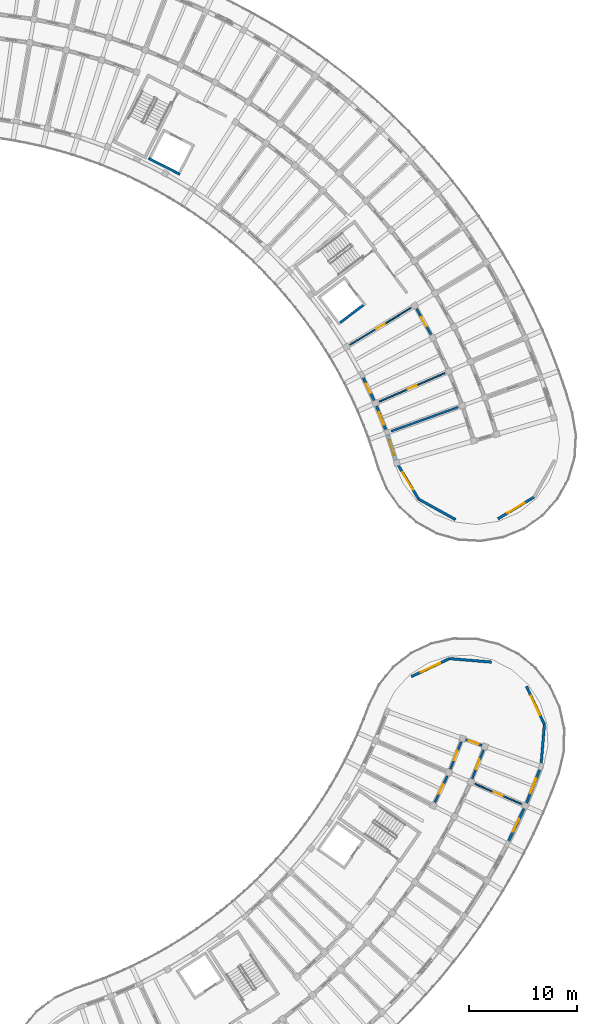
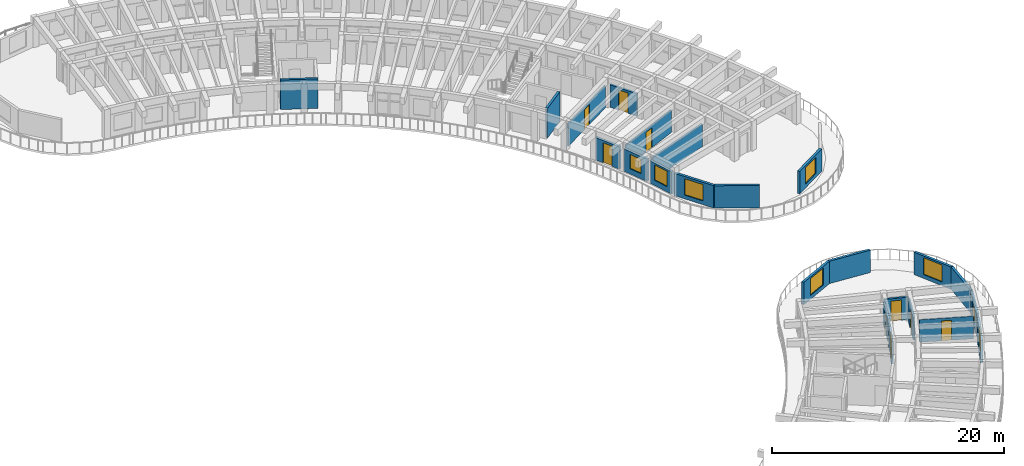
# One storey, part 51 of 78: 23 walls, 9 doors, 8 windows, 17 openings.
"""IFC4 building model written with IfcOpenShell, lengths in metres."""

from ifc_helpers import new_model, si_unit, direction, frame, frame_2d, origin, place, context, subcontext, project, spatial, rectangle, extrude, material, layer, layer_set, type_object, element, fill, save


model = new_model("IFC4")

# Units and contexts
model_context = context("Model", 3, precision=1e-05, world=origin(), true_north=direction((0.0, 1.0)))
body_context = subcontext(model_context, "Body", "Model", "MODEL_VIEW")
ifc_project = project(units=[si_unit("LENGTHUNIT", "METRE"), si_unit("AREAUNIT", "SQUARE_METRE"), si_unit("VOLUMEUNIT", "CUBIC_METRE"), si_unit("PLANEANGLEUNIT", "RADIAN"), si_unit("MASSUNIT", "GRAM", prefix="KILO")], contexts=[model_context])

# Site, building, storey
site_placement = place(None, origin())
site = spatial("IfcSite", under=ifc_project, at=site_placement, CompositionType="ELEMENT")
building_placement = place(site_placement, origin())
building = spatial("IfcBuilding", under=site, at=building_placement, Name="Tanwirah Colonnade Gardens", CompositionType="ELEMENT")
storey_placement = place(building_placement, frame((0.0, 0.0, 22.280029296875)))
storey = spatial("IfcBuildingStorey", under=building, at=storey_placement, Name="L06", CompositionType="ELEMENT", Elevation=22.280029296875)

# Wall, opening, window
ifc_material_1 = material(Name="Limestone architectural precast concrete C40/50", Category="masonry")
ifc_layer_1 = layer(ifc_material_1, 0.239990234375)
ifc_layer_set_1 = layer_set([ifc_layer_1], Name="Limestone architectural precast concrete C40/50")
wall_type_1 = type_object("IfcWallType", Name="EW-PC240", PredefinedType="SOLIDWALL", material=ifc_layer_set_1)
wall_1_placement = place(storey_placement, frame((163.65283203125, 72.685302734375, 0.0), z_axis=(0.0, 0.0, 1.0), x_axis=(-0.30716379336, 0.951656662903, 0.0)))
wall_1 = element("IfcWall", 1, at=wall_1_placement, inside=storey, type_object=wall_type_1, Name="Block B L06 IN Precast Facade Wall 0", PredefinedType="SOLIDWALL", context=body_context, shape_type="SweptSolid", body=[
    extrude(rectangle(XDim=2.525146484375, YDim=0.239990234375, at=frame_2d((1.2626953125, 0.0))), origin(), (0.0, 0.0, 1.0), 2.35498046875),
])
opening_1_placement = place(wall_1_placement, frame((0.522705078125, 0.0, 0.550048828125)))
opening_1 = element("IfcOpeningElement", 2, at=opening_1_placement, cuts=wall_1, Name="Opening WIN-T19", PredefinedType="OPENING", context=body_context, shape_type="SweptSolid", body=[
    extrude(rectangle(XDim=1.47998046875, YDim=1.6201171875, at=frame_2d((0.739990234375, 0.81005859375))), frame((0.0, 0.1298828125, 0.0), z_axis=(0.0, -1.0, 0.0), x_axis=(1.0, 0.0, 0.0)), (0.0, 0.0, 1.0), 0.260009765625),
])
ifc_material_2 = material(Name="Thermally broken bronze aluminium and solar low-E double glazing", Category="aluminium")
window_type_1 = type_object("IfcWindowType", Name="WIN-T19", PartitioningType="DOUBLE_PANEL_VERTICAL", PredefinedType="WINDOW", material=ifc_material_2)
window_1_placement = place(opening_1_placement, origin())
window_1 = element("IfcWindow", 3, at=window_1_placement, inside=storey, type_object=window_type_1, Name="Facade window B-L06-IN-00", OverallHeight=1.6201171875, OverallWidth=1.47998046875, PartitioningType="SINGLE_PANEL", PredefinedType="WINDOW", context=body_context, shape_type="SweptSolid", body=[
    extrude(rectangle(XDim=1.47998046875, YDim=1.6201171875, at=frame_2d((0.739990234375, 0.81005859375))), frame((0.0, 0.030029296875, 0.0), z_axis=(0.0, -1.0, 0.0), x_axis=(1.0, 0.0, 0.0)), (0.0, 0.0, 1.0), 0.06005859375),
])
fill(opening_1, window_1)

wall_2_placement = place(storey_placement, frame((162.768798828125, 75.389404296875, 0.0), z_axis=(0.0, 0.0, 1.0), x_axis=(-0.369122600107, 0.92938071106, 0.0)))
wall_2 = element("IfcWall", 4, at=wall_2_placement, inside=storey, type_object=wall_type_1, Name="Block B L06 IN Precast Facade Wall 1", PredefinedType="SOLIDWALL", context=body_context, shape_type="SweptSolid", body=[
    extrude(rectangle(XDim=2.525146484375, YDim=0.239990234375, at=frame_2d((1.2626953125, 0.0))), origin(), (0.0, 0.0, 1.0), 2.35498046875),
])
opening_2_placement = place(wall_2_placement, frame((0.66259765625, 0.0, 0.550048828125)))
opening_2 = element("IfcOpeningElement", 5, at=opening_2_placement, cuts=wall_2, Name="Opening WIN-U02", PredefinedType="OPENING", context=body_context, shape_type="SweptSolid", body=[
    extrude(rectangle(XDim=1.199951171875, YDim=1.510009765625, at=frame_2d((0.60009765625, 0.7548828125))), frame((0.0, 0.1298828125, 0.0), z_axis=(0.0, -1.0, 0.0), x_axis=(1.0, 0.0, 0.0)), (0.0, 0.0, 1.0), 0.260009765625),
])
window_type_2 = type_object("IfcWindowType", Name="WIN-U02", PartitioningType="DOUBLE_PANEL_VERTICAL", PredefinedType="WINDOW", material=ifc_material_2)
window_2_placement = place(opening_2_placement, origin())
window_2 = element("IfcWindow", 6, at=window_2_placement, inside=storey, type_object=window_type_2, Name="Facade window B-L06-IN-01", OverallHeight=1.510009765625, OverallWidth=1.199951171875, PartitioningType="SINGLE_PANEL", PredefinedType="WINDOW", context=body_context, shape_type="SweptSolid", body=[
    extrude(rectangle(XDim=1.199951171875, YDim=1.510009765625, at=frame_2d((0.60009765625, 0.7548828125))), frame((0.0, 0.030029296875, 0.0), z_axis=(0.0, -1.0, 0.0), x_axis=(1.0, 0.0, 0.0)), (0.0, 0.0, 1.0), 0.06005859375),
])
fill(opening_2, window_2)

# Wall, opening, door
wall_3_placement = place(storey_placement, frame((161.640869140625, 78.18505859375, 0.0), z_axis=(0.0, 0.0, 1.0), x_axis=(-0.429610836066, 0.903014135844, 0.0)))
wall_3 = element("IfcWall", 7, at=wall_3_placement, inside=storey, type_object=wall_type_1, Name="Block B L06 IN Precast Facade Wall 2", PredefinedType="SOLIDWALL", context=body_context, shape_type="SweptSolid", body=[
    extrude(rectangle(XDim=2.525390625, YDim=0.239990234375, at=frame_2d((1.2626953125, 0.0))), origin(), (0.0, 0.0, 1.0), 2.35498046875),
])
opening_3_placement = place(wall_3_placement, frame((0.772705078125, 0.0, 0.0)))
opening_3 = element("IfcOpeningElement", 8, at=opening_3_placement, cuts=wall_3, Name="Opening L06-ED095", PredefinedType="OPENING", context=body_context, shape_type="SweptSolid", body=[
    extrude(rectangle(XDim=0.97998046875, YDim=2.1201171875, at=frame_2d((0.489990234375, 1.06005859375))), frame((0.0, 0.1298828125, 0.0), z_axis=(0.0, -1.0, 0.0), x_axis=(1.0, 0.0, 0.0)), (0.0, 0.0, 1.0), 0.260009765625),
])
ifc_material_3 = material(Name="Bronze aluminium glazed balcony door", Category="aluminium")
door_type_1 = type_object("IfcDoorType", Name="ED-BAL098", OperationType="NOTDEFINED", PredefinedType="DOOR", material=ifc_material_3)
door_1_placement = place(opening_3_placement, origin())
door_1 = element("IfcDoor", 9, at=door_1_placement, inside=storey, type_object=door_type_1, Name="Balcony glazed door L06-ED095", OperationType="SINGLE_SWING_LEFT", OverallHeight=2.1201171875, OverallWidth=0.97998046875, PredefinedType="DOOR", context=body_context, shape_type="SweptSolid", body=[
    extrude(rectangle(XDim=0.97998046875, YDim=2.1201171875, at=frame_2d((0.489990234375, 1.06005859375))), frame((0.0, 0.02490234375, 0.0), z_axis=(0.0, -1.0, 0.0), x_axis=(1.0, 0.0, 0.0)), (0.0, 0.0, 1.0), 0.050048828125),
])
fill(opening_3, door_1)

# Wall, opening, window
wall_4_placement = place(storey_placement, frame((176.41650390625, 69.28857421875, 0.0), z_axis=(0.0, 0.0, 1.0), x_axis=(-0.85715098885, -0.515065221417, 0.0)))
wall_4 = element("IfcWall", 10, at=wall_4_placement, inside=storey, type_object=wall_type_1, Name="Block B L06 START Rounded End Wall 2", PredefinedType="SOLIDWALL", context=body_context, shape_type="SweptSolid", body=[
    extrude(rectangle(XDim=3.908203125, YDim=0.239990234375, at=frame_2d((1.9541015625, 0.0))), origin(), (0.0, 0.0, 1.0), 2.35498046875),
])
opening_4_placement = place(wall_4_placement, frame((1.029052734375, 0.0, 0.39990234375)))
opening_4 = element("IfcOpeningElement", 11, at=opening_4_placement, cuts=wall_4, Name="Opening WIN-END1", PredefinedType="OPENING", context=body_context, shape_type="SweptSolid", body=[
    extrude(rectangle(XDim=1.85009765625, YDim=1.719970703125, at=frame_2d((0.925048828125, 0.85986328125))), frame((0.0, 0.1298828125, 0.0), z_axis=(0.0, -1.0, 0.0), x_axis=(1.0, 0.0, 0.0)), (0.0, 0.0, 1.0), 0.260009765625),
])
window_type_3 = type_object("IfcWindowType", Name="WIN-END1", PartitioningType="TRIPLE_PANEL_VERTICAL", PredefinedType="WINDOW", material=ifc_material_2)
window_3_placement = place(opening_4_placement, origin())
window_3 = element("IfcWindow", 12, at=window_3_placement, inside=storey, type_object=window_type_3, Name="Rounded corner window B-L06-START-2", OverallHeight=1.719970703125, OverallWidth=1.85009765625, PartitioningType="SINGLE_PANEL", PredefinedType="WINDOW", context=body_context, shape_type="SweptSolid", body=[
    extrude(rectangle(XDim=1.85009765625, YDim=1.719970703125, at=frame_2d((0.925048828125, 0.85986328125))), frame((0.0, 0.030029296875, 0.0), z_axis=(0.0, -1.0, 0.0), x_axis=(1.0, 0.0, 0.0)), (0.0, 0.0, 1.0), 0.06005859375),
])
fill(opening_4, window_3)

# Wall
wall_5_placement = place(storey_placement, frame((169.1591796875, 67.20751953125, 0.0), z_axis=(0.0, 0.0, 1.0), x_axis=(-0.874643043537, 0.484767517881, 0.0)))
element("IfcWall", 13, at=wall_5_placement, inside=storey, type_object=wall_type_1, Name="Block B L06 START Rounded End Wall 4", PredefinedType="SOLIDWALL", context=body_context, shape_type="SweptSolid", body=[
    extrude(rectangle(XDim=3.908203125, YDim=0.239990234375, at=frame_2d((1.9541015625, 0.0))), origin(), (0.0, 0.0, 1.0), 2.35498046875),
])

# Wall, opening, window
wall_6_placement = place(storey_placement, frame((165.740966796875, 69.10205078125, 0.0), z_axis=(0.0, 0.0, 1.0), x_axis=(-0.515037642827, 0.857167560324, 0.0)))
wall_6 = element("IfcWall", 14, at=wall_6_placement, inside=storey, type_object=wall_type_1, Name="Block B L06 START Rounded End Wall 5", PredefinedType="SOLIDWALL", context=body_context, shape_type="SweptSolid", body=[
    extrude(rectangle(XDim=3.908447265625, YDim=0.239990234375, at=frame_2d((1.9541015625, 0.0))), origin(), (0.0, 0.0, 1.0), 2.35498046875),
])
opening_5_placement = place(wall_6_placement, frame((1.029052734375, 0.0, 0.39990234375)))
opening_5 = element("IfcOpeningElement", 15, at=opening_5_placement, cuts=wall_6, Name="Opening WIN-END1", PredefinedType="OPENING", context=body_context, shape_type="SweptSolid", body=[
    extrude(rectangle(XDim=1.85009765625, YDim=1.719970703125, at=frame_2d((0.925048828125, 0.85986328125))), frame((0.0, 0.1298828125, 0.0), z_axis=(0.0, -1.0, 0.0), x_axis=(1.0, 0.0, 0.0)), (0.0, 0.0, 1.0), 0.260009765625),
])
window_4_placement = place(opening_5_placement, origin())
window_4 = element("IfcWindow", 16, at=window_4_placement, inside=storey, type_object=window_type_3, Name="Rounded corner window B-L06-START-5", OverallHeight=1.719970703125, OverallWidth=1.85009765625, PartitioningType="SINGLE_PANEL", PredefinedType="WINDOW", context=body_context, shape_type="SweptSolid", body=[
    extrude(rectangle(XDim=1.85009765625, YDim=1.719970703125, at=frame_2d((0.925048828125, 0.85986328125))), frame((0.0, 0.030029296875, 0.0), z_axis=(0.0, -1.0, 0.0), x_axis=(1.0, 0.0, 0.0)), (0.0, 0.0, 1.0), 0.06005859375),
])
fill(opening_5, window_4)

wall_7_placement = place(storey_placement, frame((174.009521484375, 37.378173828125, 0.0), z_axis=(0.0, 0.0, 1.0), x_axis=(0.428576879122, 0.903505317462, 0.0)))
wall_7 = element("IfcWall", 17, at=wall_7_placement, inside=storey, type_object=wall_type_1, Name="Block D L06 OUT Precast Facade Wall 13", PredefinedType="SOLIDWALL", context=body_context, shape_type="SweptSolid", body=[
    extrude(rectangle(XDim=3.48681640625, YDim=0.239990234375, at=frame_2d((1.743408203125, 0.0))), origin(), (0.0, 0.0, 1.0), 2.35498046875),
])
opening_6_placement = place(wall_7_placement, frame((1.08349609375, 0.0, 0.550048828125)))
opening_6 = element("IfcOpeningElement", 18, at=opening_6_placement, cuts=wall_7, Name="Opening WIN-U05", PredefinedType="OPENING", context=body_context, shape_type="SweptSolid", body=[
    extrude(rectangle(XDim=1.320068359375, YDim=1.5849609375, at=frame_2d((0.66015625, 0.79248046875))), frame((0.0, 0.1298828125, 0.0), z_axis=(0.0, -1.0, 0.0), x_axis=(1.0, 0.0, 0.0)), (0.0, 0.0, 1.0), 0.260009765625),
])
window_type_4 = type_object("IfcWindowType", Name="WIN-U05", PartitioningType="DOUBLE_PANEL_VERTICAL", PredefinedType="WINDOW", material=ifc_material_2)
window_5_placement = place(opening_6_placement, origin())
window_5 = element("IfcWindow", 19, at=window_5_placement, inside=storey, type_object=window_type_4, Name="Facade window D-L06-OUT-13", OverallHeight=1.5849609375, OverallWidth=1.320068359375, PartitioningType="SINGLE_PANEL", PredefinedType="WINDOW", context=body_context, shape_type="SweptSolid", body=[
    extrude(rectangle(XDim=1.320068359375, YDim=1.5849609375, at=frame_2d((0.66015625, 0.79248046875))), frame((0.0, 0.030029296875, 0.0), z_axis=(0.0, -1.0, 0.0), x_axis=(1.0, 0.0, 0.0)), (0.0, 0.0, 1.0), 0.06005859375),
])
fill(opening_6, window_5)

wall_8_placement = place(storey_placement, frame((175.703125, 40.98681640625, 0.0), z_axis=(0.0, 0.0, 1.0), x_axis=(0.368503667074, 0.929626294461, 0.0)))
wall_8 = element("IfcWall", 20, at=wall_8_placement, inside=storey, type_object=wall_type_1, Name="Block D L06 OUT Precast Facade Wall 14", PredefinedType="SOLIDWALL", context=body_context, shape_type="SweptSolid", body=[
    extrude(rectangle(XDim=3.48681640625, YDim=0.239990234375, at=frame_2d((1.743408203125, 0.0))), origin(), (0.0, 0.0, 1.0), 2.35498046875),
])
opening_7_placement = place(wall_8_placement, frame((1.0234375, 0.0, 0.35009765625)))
opening_7 = element("IfcOpeningElement", 21, at=opening_7_placement, cuts=wall_8, Name="Opening WIN-U08", PredefinedType="OPENING", context=body_context, shape_type="SweptSolid", body=[
    extrude(rectangle(XDim=1.43994140625, YDim=1.659912109375, at=frame_2d((0.719970703125, 0.830078125))), frame((0.0, 0.1298828125, 0.0), z_axis=(0.0, -1.0, 0.0), x_axis=(1.0, 0.0, 0.0)), (0.0, 0.0, 1.0), 0.260009765625),
])
window_type_5 = type_object("IfcWindowType", Name="WIN-U08", PartitioningType="DOUBLE_PANEL_VERTICAL", PredefinedType="WINDOW", material=ifc_material_2)
window_6_placement = place(opening_7_placement, origin())
window_6 = element("IfcWindow", 22, at=window_6_placement, inside=storey, type_object=window_type_5, Name="Facade window D-L06-OUT-14", OverallHeight=1.659912109375, OverallWidth=1.43994140625, PartitioningType="SINGLE_PANEL", PredefinedType="WINDOW", context=body_context, shape_type="SweptSolid", body=[
    extrude(rectangle(XDim=1.43994140625, YDim=1.659912109375, at=frame_2d((0.719970703125, 0.830078125))), frame((0.0, 0.030029296875, 0.0), z_axis=(0.0, -1.0, 0.0), x_axis=(1.0, 0.0, 0.0)), (0.0, 0.0, 1.0), 0.06005859375),
])
fill(opening_7, window_6)

wall_9_placement = place(storey_placement, frame((165.06298828125, 52.690673828125, 0.0), z_axis=(0.0, 0.0, 1.0), x_axis=(0.904437504678, 0.426606141694, 0.0)))
wall_9 = element("IfcWall", 23, at=wall_9_placement, inside=storey, type_object=wall_type_1, Name="Block D L06 END Rounded End Wall 1", PredefinedType="SOLIDWALL", context=body_context, shape_type="SweptSolid", body=[
    extrude(rectangle(XDim=3.908203125, YDim=0.239990234375, at=frame_2d((1.9541015625, 0.0))), origin(), (0.0, 0.0, 1.0), 2.35498046875),
])
opening_8_placement = place(wall_9_placement, frame((0.97900390625, 0.0, 0.39990234375)))
opening_8 = element("IfcOpeningElement", 24, at=opening_8_placement, cuts=wall_9, Name="Opening WIN-END2", PredefinedType="OPENING", context=body_context, shape_type="SweptSolid", body=[
    extrude(rectangle(XDim=1.949951171875, YDim=1.780029296875, at=frame_2d((0.97509765625, 0.89013671875))), frame((0.0, 0.1298828125, 0.0), z_axis=(0.0, -1.0, 0.0), x_axis=(1.0, 0.0, 0.0)), (0.0, 0.0, 1.0), 0.260009765625),
])
window_type_6 = type_object("IfcWindowType", Name="WIN-END2", PartitioningType="TRIPLE_PANEL_VERTICAL", PredefinedType="WINDOW", material=ifc_material_2)
window_7_placement = place(opening_8_placement, origin())
window_7 = element("IfcWindow", 25, at=window_7_placement, inside=storey, type_object=window_type_6, Name="Rounded corner window D-L06-END-1", OverallHeight=1.780029296875, OverallWidth=1.949951171875, PartitioningType="SINGLE_PANEL", PredefinedType="WINDOW", context=body_context, shape_type="SweptSolid", body=[
    extrude(rectangle(XDim=1.949951171875, YDim=1.780029296875, at=frame_2d((0.97509765625, 0.89013671875))), frame((0.0, 0.030029296875, 0.0), z_axis=(0.0, -1.0, 0.0), x_axis=(1.0, 0.0, 0.0)), (0.0, 0.0, 1.0), 0.06005859375),
])
fill(opening_8, window_7)

# Wall
wall_10_placement = place(storey_placement, frame((168.59765625, 54.35791015625, 0.0), z_axis=(0.0, 0.0, 1.0), x_axis=(0.99656339927, -0.082833515165, 0.0)))
element("IfcWall", 26, at=wall_10_placement, inside=storey, type_object=wall_type_1, Name="Block D L06 END Rounded End Wall 2", PredefinedType="SOLIDWALL", context=body_context, shape_type="SweptSolid", body=[
    extrude(rectangle(XDim=3.908203125, YDim=0.239990234375, at=frame_2d((1.9541015625, 0.0))), origin(), (0.0, 0.0, 1.0), 2.35498046875),
])

# Wall, opening, window
wall_11_placement = place(storey_placement, frame((175.70361328125, 51.806640625, 0.0), z_axis=(0.0, 0.0, 1.0), x_axis=(0.42653093848, -0.904472972796, 0.0)))
wall_11 = element("IfcWall", 27, at=wall_11_placement, inside=storey, type_object=wall_type_1, Name="Block D L06 END Rounded End Wall 4", PredefinedType="SOLIDWALL", context=body_context, shape_type="SweptSolid", body=[
    extrude(rectangle(XDim=3.908203125, YDim=0.239990234375, at=frame_2d((1.9541015625, 0.0))), origin(), (0.0, 0.0, 1.0), 2.35498046875),
])
opening_9_placement = place(wall_11_placement, frame((0.97900390625, 0.0, 0.39990234375)))
opening_9 = element("IfcOpeningElement", 28, at=opening_9_placement, cuts=wall_11, Name="Opening WIN-END2", PredefinedType="OPENING", context=body_context, shape_type="SweptSolid", body=[
    extrude(rectangle(XDim=1.949951171875, YDim=1.780029296875, at=frame_2d((0.97509765625, 0.89013671875))), frame((0.0, 0.1298828125, 0.0), z_axis=(0.0, -1.0, 0.0), x_axis=(1.0, 0.0, 0.0)), (0.0, 0.0, 1.0), 0.260009765625),
])
window_8_placement = place(opening_9_placement, origin())
window_8 = element("IfcWindow", 29, at=window_8_placement, inside=storey, type_object=window_type_6, Name="Rounded corner window D-L06-END-4", OverallHeight=1.780029296875, OverallWidth=1.949951171875, PartitioningType="SINGLE_PANEL", PredefinedType="WINDOW", context=body_context, shape_type="SweptSolid", body=[
    extrude(rectangle(XDim=1.949951171875, YDim=1.780029296875, at=frame_2d((0.97509765625, 0.89013671875))), frame((0.0, 0.030029296875, 0.0), z_axis=(0.0, -1.0, 0.0), x_axis=(1.0, 0.0, 0.0)), (0.0, 0.0, 1.0), 0.06005859375),
])
fill(opening_9, window_8)

# Wall
wall_12_placement = place(storey_placement, frame((177.37060546875, 48.271728515625, 0.0), z_axis=(0.0, 0.0, 1.0), x_axis=(-0.082771474592, -0.996568554086, 0.0)))
element("IfcWall", 30, at=wall_12_placement, inside=storey, type_object=wall_type_1, Name="Block D L06 END Rounded End Wall 5", PredefinedType="SOLIDWALL", context=body_context, shape_type="SweptSolid", body=[
    extrude(rectangle(XDim=3.908203125, YDim=0.239990234375, at=frame_2d((1.9541015625, 0.0))), origin(), (0.0, 0.0, 1.0), 2.35498046875),
])

# Wall, opening, door
ifc_material_4 = material(Name="Precast concrete C40/50", Category="concrete")
ifc_layer_2 = layer(ifc_material_4, 0.195068359375)
ifc_layer_set_2 = layer_set([ifc_layer_2], Name="Precast concrete C40/50")
wall_type_2 = type_object("IfcWallType", Name="IW-CORR195", PredefinedType="PARTITIONING", material=ifc_layer_set_2)
wall_13_placement = place(storey_placement, frame((167.24560546875, 41.075439453125, 0.0), z_axis=(0.0, 0.0, 1.0), x_axis=(0.428550049392, 0.903518043631, 0.0)))
wall_13 = element("IfcWall", 31, at=wall_13_placement, inside=storey, type_object=wall_type_2, Name="Block D L06 IN Corridor Wall 13", PredefinedType="PARTITIONING", context=body_context, shape_type="SweptSolid", body=[
    extrude(rectangle(XDim=2.69287109375, YDim=0.195068359375, at=frame_2d((1.346435546875, 0.0))), origin(), (0.0, 0.0, 1.0), 2.369873046875),
])
opening_10_placement = place(wall_13_placement, frame((0.87158203125, 0.0, 0.0)))
opening_10 = element("IfcOpeningElement", 32, at=opening_10_placement, cuts=wall_13, Name="Opening L06-AD1895", PredefinedType="OPENING", context=body_context, shape_type="SweptSolid", body=[
    extrude(rectangle(XDim=0.949951171875, YDim=2.1298828125, at=frame_2d((0.47509765625, 1.06494140625))), frame((0.0, 0.107421875, 0.0), z_axis=(0.0, -1.0, 0.0), x_axis=(1.0, 0.0, 0.0)), (0.0, 0.0, 1.0), 0.215087890625),
])
ifc_material_5 = material(Name="Solid oak fire-resisting apartment entrance door")
door_type_2 = type_object("IfcDoorType", Name="ID-FLT095", OperationType="NOTDEFINED", PredefinedType="DOOR", material=ifc_material_5)
door_2_placement = place(opening_10_placement, origin())
door_2 = element("IfcDoor", 33, at=door_2_placement, inside=storey, type_object=door_type_2, Name="Apartment corridor door L06-AD1895", OperationType="SINGLE_SWING_LEFT", OverallHeight=2.1298828125, OverallWidth=0.949951171875, PredefinedType="DOOR", context=body_context, shape_type="SweptSolid", body=[
    extrude(rectangle(XDim=0.949951171875, YDim=2.1298828125, at=frame_2d((0.47509765625, 1.06494140625))), frame((0.0, 0.02490234375, 0.0), z_axis=(0.0, -1.0, 0.0), x_axis=(1.0, 0.0, 0.0)), (0.0, 0.0, 1.0), 0.050048828125),
])
fill(opening_10, door_2)

wall_14_placement = place(storey_placement, frame((170.696044921875, 43.27294921875, 0.0), z_axis=(0.0, 0.0, 1.0), x_axis=(0.368584691693, 0.929594172233, 0.0)))
wall_14 = element("IfcWall", 34, at=wall_14_placement, inside=storey, type_object=wall_type_2, Name="Block D L06 OUT Corridor Wall 14", PredefinedType="PARTITIONING", context=body_context, shape_type="SweptSolid", body=[
    extrude(rectangle(XDim=2.8369140625, YDim=0.195068359375, at=frame_2d((1.41845703125, 0.0))), origin(), (0.0, 0.0, 1.0), 2.369873046875),
])
opening_11_placement = place(wall_14_placement, frame((0.95361328125, 0.0, 0.0)))
opening_11 = element("IfcOpeningElement", 35, at=opening_11_placement, cuts=wall_14, Name="Opening L06-AD1898", PredefinedType="OPENING", context=body_context, shape_type="SweptSolid", body=[
    extrude(rectangle(XDim=0.929931640625, YDim=2.1201171875, at=frame_2d((0.46484375, 1.06005859375))), frame((0.0, 0.107421875, 0.0), z_axis=(0.0, -1.0, 0.0), x_axis=(1.0, 0.0, 0.0)), (0.0, 0.0, 1.0), 0.215087890625),
])
door_type_3 = type_object("IfcDoorType", Name="ID-FLT093", OperationType="NOTDEFINED", PredefinedType="DOOR", material=ifc_material_5)
door_3_placement = place(opening_11_placement, origin())
door_3 = element("IfcDoor", 36, at=door_3_placement, inside=storey, type_object=door_type_3, Name="Apartment corridor door L06-AD1898", OperationType="SINGLE_SWING_LEFT", OverallHeight=2.1201171875, OverallWidth=0.929931640625, PredefinedType="DOOR", context=body_context, shape_type="SweptSolid", body=[
    extrude(rectangle(XDim=0.929931640625, YDim=2.1201171875, at=frame_2d((0.46484375, 1.06005859375))), frame((0.0, 0.02490234375, 0.0), z_axis=(0.0, -1.0, 0.0), x_axis=(1.0, 0.0, 0.0)), (0.0, 0.0, 1.0), 0.050048828125),
])
fill(opening_11, door_3)

wall_15_placement = place(storey_placement, frame((168.678466796875, 44.150146484375, 0.0), z_axis=(0.0, 0.0, 1.0), x_axis=(0.368528468945, 0.929616462622, 0.0)))
wall_15 = element("IfcWall", 37, at=wall_15_placement, inside=storey, type_object=wall_type_2, Name="Block D L06 IN Corridor Wall 14", PredefinedType="PARTITIONING", context=body_context, shape_type="SweptSolid", body=[
    extrude(rectangle(XDim=2.69287109375, YDim=0.195068359375, at=frame_2d((1.346435546875, 0.0))), origin(), (0.0, 0.0, 1.0), 2.369873046875),
])
opening_12_placement = place(wall_15_placement, frame((0.881591796875, 0.0, 0.0)))
opening_12 = element("IfcOpeningElement", 38, at=opening_12_placement, cuts=wall_15, Name="Opening L06-AD1899", PredefinedType="OPENING", context=body_context, shape_type="SweptSolid", body=[
    extrude(rectangle(XDim=0.929931640625, YDim=2.1201171875, at=frame_2d((0.46484375, 1.06005859375))), frame((0.0, 0.107421875, 0.0), z_axis=(0.0, -1.0, 0.0), x_axis=(1.0, 0.0, 0.0)), (0.0, 0.0, 1.0), 0.215087890625),
])
door_4_placement = place(opening_12_placement, origin())
door_4 = element("IfcDoor", 39, at=door_4_placement, inside=storey, type_object=door_type_3, Name="Apartment corridor door L06-AD1899", OperationType="SINGLE_SWING_RIGHT", OverallHeight=2.1201171875, OverallWidth=0.929931640625, PredefinedType="DOOR", context=body_context, shape_type="SweptSolid", body=[
    extrude(rectangle(XDim=0.929931640625, YDim=2.1201171875, at=frame_2d((0.46484375, 1.06005859375))), frame((0.0, 0.02490234375, 0.0), z_axis=(0.0, -1.0, 0.0), x_axis=(1.0, 0.0, 0.0)), (0.0, 0.0, 1.0), 0.050048828125),
])
fill(opening_12, door_4)

wall_16_placement = place(storey_placement, frame((169.846923828125, 46.962158203125, 0.0), z_axis=(0.0, 0.0, 1.0), x_axis=(0.941167179085, -0.337941327767, 0.0)))
wall_16 = element("IfcWall", 40, at=wall_16_placement, inside=storey, type_object=wall_type_2, Name="Block D L06 CE Corner Suite Corridor Wall", PredefinedType="PARTITIONING", context=body_context, shape_type="SweptSolid", body=[
    extrude(rectangle(XDim=2.10009765625, YDim=0.195068359375, at=frame_2d((1.050048828125, 0.0))), origin(), (0.0, 0.0, 1.0), 2.369873046875),
])
opening_13_placement = place(wall_16_placement, frame((0.570068359375, 0.0, 0.0)))
opening_13 = element("IfcOpeningElement", 41, at=opening_13_placement, cuts=wall_16, Name="Opening L06-CD1901", PredefinedType="OPENING", context=body_context, shape_type="SweptSolid", body=[
    extrude(rectangle(XDim=0.949951171875, YDim=2.1298828125, at=frame_2d((0.47509765625, 1.06494140625))), frame((0.0, 0.107421875, 0.0), z_axis=(0.0, -1.0, 0.0), x_axis=(1.0, 0.0, 0.0)), (0.0, 0.0, 1.0), 0.215087890625),
])
door_5_placement = place(opening_13_placement, origin())
door_5 = element("IfcDoor", 42, at=door_5_placement, inside=storey, type_object=door_type_2, Name="Corner suite entrance door L06-CD1901", OperationType="SINGLE_SWING_RIGHT", OverallHeight=2.1298828125, OverallWidth=0.949951171875, PredefinedType="DOOR", context=body_context, shape_type="SweptSolid", body=[
    extrude(rectangle(XDim=0.949951171875, YDim=2.1298828125, at=frame_2d((0.47509765625, 1.06494140625))), frame((0.0, 0.02490234375, 0.0), z_axis=(0.0, -1.0, 0.0), x_axis=(1.0, 0.0, 0.0)), (0.0, 0.0, 1.0), 0.050048828125),
])
fill(opening_13, door_5)

ifc_layer_3 = layer(ifc_material_4, 0.205078125)
ifc_layer_set_3 = layer_set([ifc_layer_3], Name="Precast concrete C40/50")
wall_type_3 = type_object("IfcWallType", Name="IW-CORR205", PredefinedType="PARTITIONING", material=ifc_layer_set_3)
wall_17_placement = place(storey_placement, frame((166.89013671875, 84.313232421875, 0.0), z_axis=(0.0, 0.0, 1.0), x_axis=(-0.48819576874, 0.872734147025, 0.0)))
wall_17 = element("IfcWall", 43, at=wall_17_placement, inside=storey, type_object=wall_type_3, Name="Block B L06 IN Corridor Wall 3", PredefinedType="PARTITIONING", context=body_context, shape_type="SweptSolid", body=[
    extrude(rectangle(XDim=2.718017578125, YDim=0.205078125, at=frame_2d((1.35888671875, 0.0))), origin(), (0.0, 0.0, 1.0), 2.369873046875),
])
opening_14_placement = place(wall_17_placement, frame((0.884033203125, 0.0, 0.0)))
opening_14 = element("IfcOpeningElement", 44, at=opening_14_placement, cuts=wall_17, Name="Opening L06-AD1052", PredefinedType="OPENING", context=body_context, shape_type="SweptSolid", body=[
    extrude(rectangle(XDim=0.949951171875, YDim=2.1298828125, at=frame_2d((0.47509765625, 1.06494140625))), frame((0.0, 0.112548828125, 0.0), z_axis=(0.0, -1.0, 0.0), x_axis=(1.0, 0.0, 0.0)), (0.0, 0.0, 1.0), 0.22509765625),
])
door_6_placement = place(opening_14_placement, origin())
door_6 = element("IfcDoor", 45, at=door_6_placement, inside=storey, type_object=door_type_2, Name="Apartment corridor door L06-AD1052", OperationType="SINGLE_SWING_LEFT", OverallHeight=2.1298828125, OverallWidth=0.949951171875, PredefinedType="DOOR", context=body_context, shape_type="SweptSolid", body=[
    extrude(rectangle(XDim=0.949951171875, YDim=2.1298828125, at=frame_2d((0.47509765625, 1.06494140625))), frame((0.0, 0.02490234375, 0.0), z_axis=(0.0, -1.0, 0.0), x_axis=(1.0, 0.0, 0.0)), (0.0, 0.0, 1.0), 0.050048828125),
])
fill(opening_14, door_6)

# Wall
ifc_layer_4 = layer(ifc_material_4, 0.18505859375)
ifc_layer_set_4 = layer_set([ifc_layer_4], Name="Precast concrete C40/50")
wall_type_4 = type_object("IfcWallType", Name="IW-DEM185", PredefinedType="PARTITIONING", material=ifc_layer_set_4)
wall_18_placement = place(storey_placement, frame((163.204345703125, 75.3759765625, 0.0), z_axis=(0.0, 0.0, 1.0), x_axis=(0.941005714099, 0.338390670725, 0.0)))
element("IfcWall", 46, at=wall_18_placement, inside=storey, type_object=wall_type_4, Name="Block B L06 Inner Radial Partition 0", PredefinedType="PARTITIONING", context=body_context, shape_type="SweptSolid", body=[
    extrude(rectangle(XDim=6.60009765625, YDim=0.18505859375, at=frame_2d((3.300048828125, 0.0))), origin(), (0.0, 0.0, 1.0), 2.369873046875),
])

# Wall, opening, door
ifc_material_6 = material(Name="Moisture-resistant gypsum stud partition")
ifc_layer_5 = layer(ifc_material_6, 0.125)
ifc_layer_set_5 = layer_set([ifc_layer_5], Name="Moisture-resistant gypsum stud partition")
wall_type_5 = type_object("IfcWallType", Name="IW-INT125", PredefinedType="PARTITIONING", material=ifc_layer_set_5)
wall_19_placement = place(storey_placement, frame((162.11279296875, 78.123779296875, 0.0), z_axis=(0.0, 0.0, 1.0), x_axis=(0.916668515796, 0.399648385645, 0.0)))
wall_19 = element("IfcWall", 47, at=wall_19_placement, inside=storey, type_object=wall_type_5, Name="Block B L06 Inner Radial Partition 1", PredefinedType="PARTITIONING", context=body_context, shape_type="SweptSolid", body=[
    extrude(rectangle(XDim=6.60009765625, YDim=0.125, at=frame_2d((3.300048828125, 0.0))), origin(), (0.0, 0.0, 1.0), 2.369873046875),
])
opening_15_placement = place(wall_19_placement, frame((2.864990234375, 0.0, 0.0)))
opening_15 = element("IfcOpeningElement", 48, at=opening_15_placement, cuts=wall_19, Name="Opening L06-RD1048", PredefinedType="OPENING", context=body_context, shape_type="SweptSolid", body=[
    extrude(rectangle(XDim=0.8701171875, YDim=2.080078125, at=frame_2d((0.43505859375, 1.0400390625))), frame((0.0, 0.072509765625, 0.0), z_axis=(0.0, -1.0, 0.0), x_axis=(1.0, 0.0, 0.0)), (0.0, 0.0, 1.0), 0.14501953125),
])
ifc_material_7 = material(Name="Painted hardwood study door", Category="wood")
door_type_4 = type_object("IfcDoorType", Name="ID-RM087", OperationType="NOTDEFINED", PredefinedType="DOOR", material=ifc_material_7)
door_7_placement = place(opening_15_placement, origin())
door_7 = element("IfcDoor", 49, at=door_7_placement, inside=storey, type_object=door_type_4, Name="Internal apartment door L06-RD1048", OperationType="SINGLE_SWING_LEFT", OverallHeight=2.080078125, OverallWidth=0.8701171875, PredefinedType="DOOR", context=body_context, shape_type="SweptSolid", body=[
    extrude(rectangle(XDim=0.8701171875, YDim=2.080078125, at=frame_2d((0.43505859375, 1.0400390625))), frame((0.0, 0.02490234375, 0.0), z_axis=(0.0, -1.0, 0.0), x_axis=(1.0, 0.0, 0.0)), (0.0, 0.0, 1.0), 0.050048828125),
])
fill(opening_15, door_7)

wall_20_placement = place(storey_placement, frame((159.399169921875, 83.3740234375, 0.0), z_axis=(0.0, 0.0, 1.0), x_axis=(0.85616819337, 0.516697227263, 0.0)))
wall_20 = element("IfcWall", 50, at=wall_20_placement, inside=storey, type_object=wall_type_5, Name="Block B L06 Inner Radial Partition 3", PredefinedType="PARTITIONING", context=body_context, shape_type="SweptSolid", body=[
    extrude(rectangle(XDim=6.599853515625, YDim=0.125, at=frame_2d((3.2998046875, 0.0))), origin(), (0.0, 0.0, 1.0), 2.369873046875),
])
opening_16_placement = place(wall_20_placement, frame((2.85498046875, 0.0, 0.0)))
opening_16 = element("IfcOpeningElement", 51, at=opening_16_placement, cuts=wall_20, Name="Opening L06-RD1053", PredefinedType="OPENING", context=body_context, shape_type="SweptSolid", body=[
    extrude(rectangle(XDim=0.889892578125, YDim=2.10009765625, at=frame_2d((0.44482421875, 1.050048828125))), frame((0.0, 0.072509765625, 0.0), z_axis=(0.0, -1.0, 0.0), x_axis=(1.0, 0.0, 0.0)), (0.0, 0.0, 1.0), 0.14501953125),
])
ifc_material_8 = material(Name="Painted hardwood bedroom door", Category="wood")
door_type_5 = type_object("IfcDoorType", Name="ID-RM089", OperationType="NOTDEFINED", PredefinedType="DOOR", material=ifc_material_8)
door_8_placement = place(opening_16_placement, origin())
door_8 = element("IfcDoor", 52, at=door_8_placement, inside=storey, type_object=door_type_5, Name="Internal apartment door L06-RD1053", OperationType="SINGLE_SWING_LEFT", OverallHeight=2.10009765625, OverallWidth=0.889892578125, PredefinedType="DOOR", context=body_context, shape_type="SweptSolid", body=[
    extrude(rectangle(XDim=0.889892578125, YDim=2.10009765625, at=frame_2d((0.44482421875, 1.050048828125))), frame((0.0, 0.02490234375, 0.0), z_axis=(0.0, -1.0, 0.0), x_axis=(1.0, 0.0, 0.0)), (0.0, 0.0, 1.0), 0.050048828125),
])
fill(opening_16, door_8)

wall_21_placement = place(storey_placement, frame((170.933837890625, 42.7880859375, 0.0), z_axis=(0.0, 0.0, 1.0), x_axis=(0.917071707884, -0.398722312643, 0.0)))
wall_21 = element("IfcWall", 53, at=wall_21_placement, inside=storey, type_object=wall_type_5, Name="Block D L06 Radial Partition 13", PredefinedType="PARTITIONING", context=body_context, shape_type="SweptSolid", body=[
    extrude(rectangle(XDim=4.699951171875, YDim=0.125, at=frame_2d((2.35009765625, 0.0))), origin(), (0.0, 0.0, 1.0), 2.369873046875),
])
opening_17_placement = place(wall_21_placement, frame((1.905029296875, 0.0, 0.0)))
opening_17 = element("IfcOpeningElement", 54, at=opening_17_placement, cuts=wall_21, Name="Opening L06-RD1896", PredefinedType="OPENING", context=body_context, shape_type="SweptSolid", body=[
    extrude(rectangle(XDim=0.889892578125, YDim=2.10009765625, at=frame_2d((0.44482421875, 1.050048828125))), frame((0.0, 0.072509765625, 0.0), z_axis=(0.0, -1.0, 0.0), x_axis=(1.0, 0.0, 0.0)), (0.0, 0.0, 1.0), 0.14501953125),
])
door_9_placement = place(opening_17_placement, origin())
door_9 = element("IfcDoor", 55, at=door_9_placement, inside=storey, type_object=door_type_5, Name="Internal apartment door L06-RD1896", OperationType="SINGLE_SWING_RIGHT", OverallHeight=2.10009765625, OverallWidth=0.889892578125, PredefinedType="DOOR", context=body_context, shape_type="SweptSolid", body=[
    extrude(rectangle(XDim=0.889892578125, YDim=2.10009765625, at=frame_2d((0.44482421875, 1.050048828125))), frame((0.0, 0.02490234375, 0.0), z_axis=(0.0, -1.0, 0.0), x_axis=(1.0, 0.0, 0.0)), (0.0, 0.0, 1.0), 0.050048828125),
])
fill(opening_17, door_9)

# Walls
ifc_material_9 = material(Name="Concrete C45/55", Category="concrete")
ifc_layer_6 = layer(ifc_material_9, 0.22998046875)
ifc_layer_set_6 = layer_set([ifc_layer_6], Name="Concrete C45/55")
wall_type_6 = type_object("IfcWallType", Name="SW-LIFT230", PredefinedType="SHEAR", material=ifc_layer_set_6)
wall_22_placement = place(storey_placement, frame((160.628173828125, 87.0380859375, 0.0), z_axis=(0.0, 0.0, 1.0), x_axis=(-0.798608971494, -0.601850239387, 0.0)))
element("IfcWall", 56, at=wall_22_placement, inside=storey, type_object=wall_type_6, Name="CORE-B1 L06 Lift Shaft Wall SIDEB", PredefinedType="SHEAR", context=body_context, shape_type="SweptSolid", body=[
    extrude(rectangle(XDim=2.699951171875, YDim=0.22998046875, at=frame_2d((1.35009765625, 0.0))), origin(), (0.0, 0.0, 1.0), 3.10986328125),
])
wall_23_placement = place(storey_placement, frame((140.772216796875, 100.61328125, 0.0), z_axis=(0.0, 0.0, 1.0), x_axis=(0.891016635648, -0.453970654337, 0.0)))
element("IfcWall", 57, at=wall_23_placement, inside=storey, type_object=wall_type_6, Name="CORE-B2 L06 Lift Shaft Wall BACK", PredefinedType="SHEAR", context=body_context, shape_type="SweptSolid", body=[
    extrude(rectangle(XDim=3.260009765625, YDim=0.22998046875, at=frame_2d((1.6298828125, 0.0))), origin(), (0.0, 0.0, 1.0), 3.10986328125),
])

save(model, "model.ifc")
